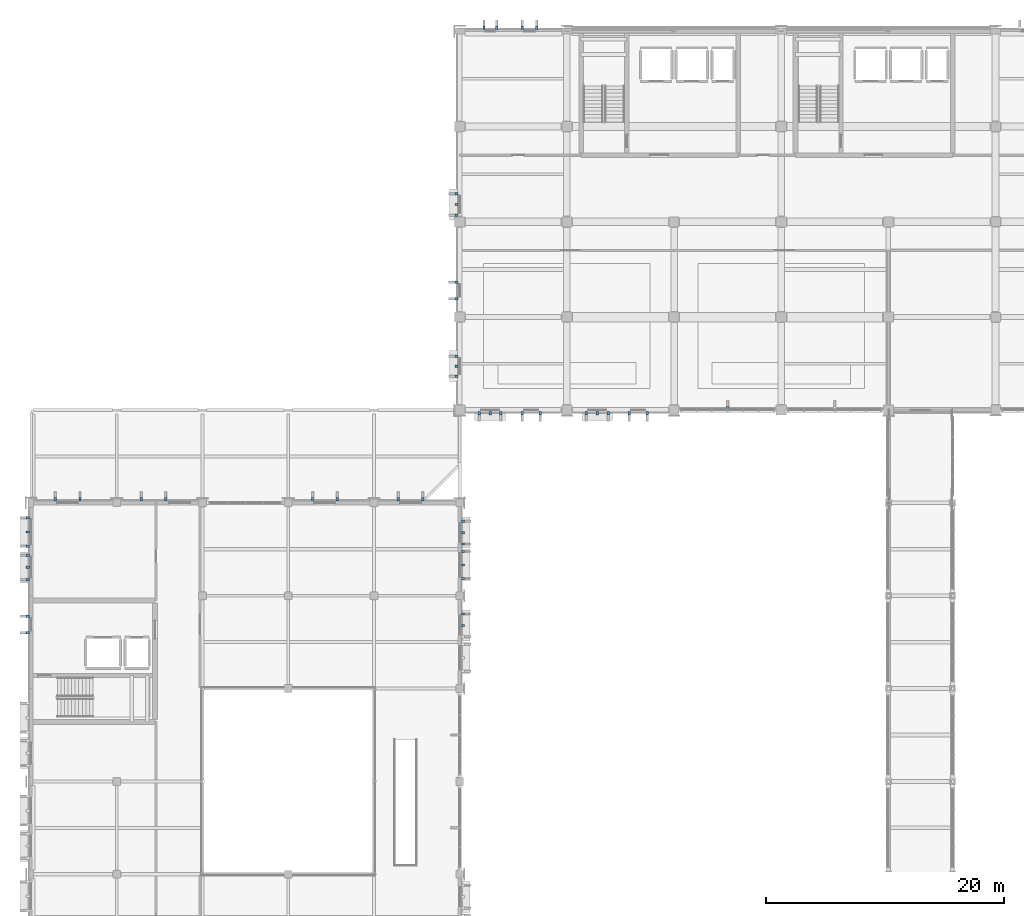
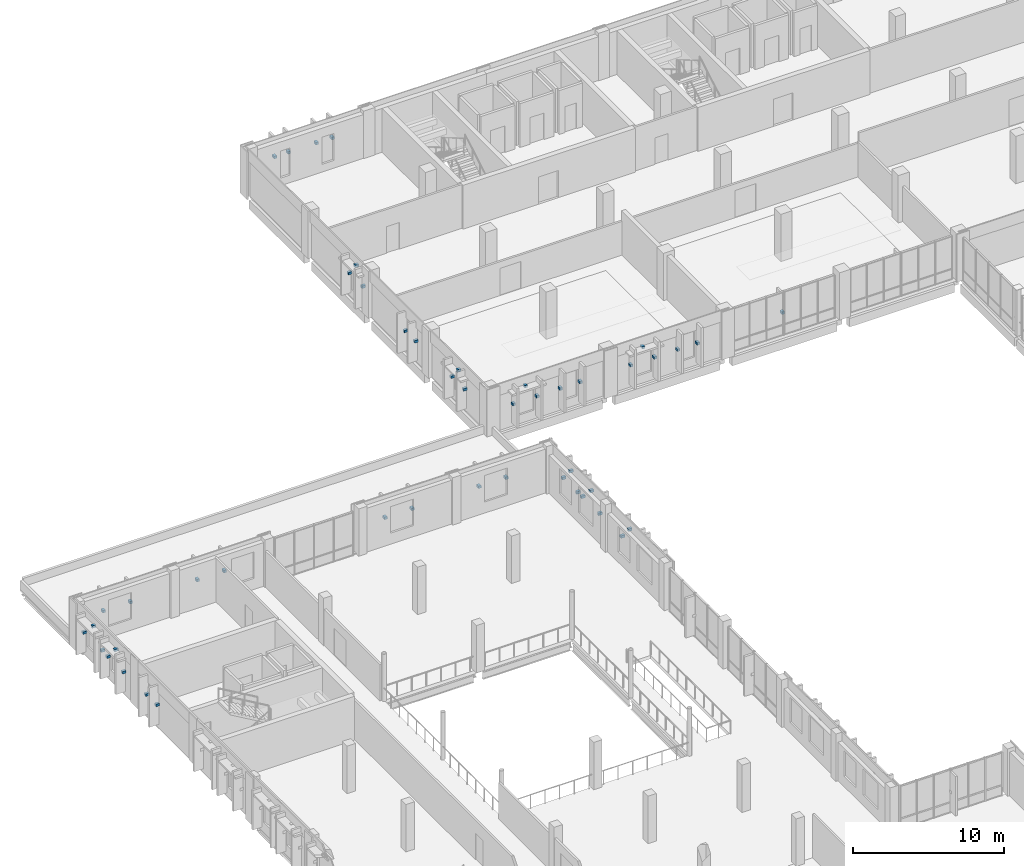
# One storey, part 68 of 85: 47 discrete accessories.
"""IFC4 building model written with IfcOpenShell, lengths in metres."""

from ifc_helpers import new_model, si_unit, direction, frame, origin, origin_2d, place, context, subcontext, project, spatial, rectangle, extrude, material, type_object, element, save


model = new_model("IFC4")

# Units and contexts
model_context = context("Model", 3, precision=1e-05, world=origin(), true_north=direction((0.0, 1.0)))
body_context = subcontext(model_context, "Body", "Model", "MODEL_VIEW")
ifc_project = project(units=[si_unit("LENGTHUNIT", "METRE"), si_unit("AREAUNIT", "SQUARE_METRE"), si_unit("VOLUMEUNIT", "CUBIC_METRE"), si_unit("PLANEANGLEUNIT", "RADIAN"), si_unit("MASSUNIT", "GRAM", prefix="KILO")], contexts=[model_context])

# Site, building, storey
site_placement = place(None, origin())
site = spatial("IfcSite", under=ifc_project, at=site_placement, CompositionType="ELEMENT")
building_placement = place(site_placement, origin())
building = spatial("IfcBuilding", under=site, at=building_placement, Name="Vervanel Yard Central Library", CompositionType="ELEMENT")
storey_placement = place(building_placement, frame((0.0, 0.0, 5.10009765625)))
storey = spatial("IfcBuildingStorey", under=building, at=storey_placement, Name="L01", CompositionType="ELEMENT", Elevation=5.10009765625)

# Discrete accessories
ifc_material = material(Name="Steel ASTM A572 Grade 50", Category="steel")
discrete_accessory_type = type_object("IfcDiscreteAccessoryType", Name="Stainless Solar Fin Fixing Bracket", PredefinedType="BRACKET", material=ifc_material)
for number, where, z_axis, x_axis, name in (
    (1, (38.0400390625, 114.31005859375, 2.0498046875), (0.0, 0.0, 1.0), (1.0, 0.0, 0.0), "L01 Solar Fin Bracket 55"),
    (2, (39.110107421875, 114.31005859375, 2.0498046875), (0.0, 0.0, 1.0), (1.0, 0.0, 0.0), "L01 Solar Fin Bracket 56"),
    (3, (41.239990234375, 114.31005859375, 2.0498046875), (0.0, 0.0, 1.0), (1.0, 0.0, 0.0), "L01 Solar Fin Bracket 57"),
    (4, (42.4599609375, 114.31005859375, 2.0498046875), (0.0, 0.0, 1.0), (1.0, 0.0, 0.0), "L01 Solar Fin Bracket 58"),
    (5, (37.639892578125, 81.909912109375, 1.7998046875), (0.0, 0.0, 1.0), (1.0, 0.0, 0.0), "L01 Solar Fin Bracket 71"),
    (6, (39.4599609375, 81.909912109375, 1.7998046875), (0.0, 0.0, 1.0), (1.0, 0.0, 0.0), "L01 Solar Fin Bracket 72"),
    (7, (38.550048828125, 81.909912109375, 2.94970703125), (0.0, 0.0, 1.0), (1.0, 0.0, 0.0), "L01 Sunhood Bracket 8"),
    (8, (41.239990234375, 81.909912109375, 1.7998046875), (0.0, 0.0, 1.0), (1.0, 0.0, 0.0), "L01 Solar Fin Bracket 73"),
    (9, (42.760009765625, 81.909912109375, 1.7998046875), (0.0, 0.0, 1.0), (1.0, 0.0, 0.0), "L01 Solar Fin Bracket 74"),
    (10, (46.639892578125, 81.909912109375, 1.7998046875), (0.0, 0.0, 1.0), (1.0, 0.0, 0.0), "L01 Solar Fin Bracket 75"),
    (11, (48.4599609375, 81.909912109375, 1.7998046875), (0.0, 0.0, 1.0), (1.0, 0.0, 0.0), "L01 Solar Fin Bracket 76"),
    (12, (47.550048828125, 81.909912109375, 2.94970703125), (0.0, 0.0, 1.0), (1.0, 0.0, 0.0), "L01 Sunhood Bracket 9"),
    (13, (50.239990234375, 81.909912109375, 1.7998046875), (0.0, 0.0, 1.0), (1.0, 0.0, 0.0), "L01 Solar Fin Bracket 77"),
    (14, (51.760009765625, 81.909912109375, 1.7998046875), (0.0, 0.0, 1.0), (1.0, 0.0, 0.0), "L01 Solar Fin Bracket 78"),
    (15, (58.5, 82.330078125, 1.6650390625), (0.0, 0.0, 1.0), (1.0, 0.0, 0.0), "L01 Solar Fin Bracket 79"),
    (16, (35.72998046875, 85.0400390625, 1.77490234375), (0.0, 0.0, 1.0), (0.0, 1.0, 0.0), "L01 Solar Fin Bracket 82"),
    (17, (35.72998046875, 86.7099609375, 1.77490234375), (0.0, 0.0, 1.0), (0.0, 1.0, 0.0), "L01 Solar Fin Bracket 83"),
    (18, (35.72998046875, 85.875, 2.7998046875), (0.0, 0.0, 1.0), (0.0, 1.0, 0.0), "L01 Sunhood Bracket 10"),
    (19, (35.72998046875, 91.5400390625, 1.72509765625), (0.0, 0.0, 1.0), (0.0, 1.0, 0.0), "L01 Solar Fin Bracket 84"),
    (20, (35.72998046875, 92.909912109375, 1.72509765625), (0.0, 0.0, 1.0), (0.0, 1.0, 0.0), "L01 Solar Fin Bracket 85"),
    (21, (35.72998046875, 98.5400390625, 1.89990234375), (0.0, 0.0, 1.0), (0.0, 1.0, 0.0), "L01 Solar Fin Bracket 86"),
    (22, (35.72998046875, 100.360107421875, 1.89990234375), (0.0, 0.0, 1.0), (0.0, 1.0, 0.0), "L01 Solar Fin Bracket 87"),
    (23, (35.72998046875, 99.449951171875, 3.0498046875), (0.0, 0.0, 1.0), (0.0, 1.0, 0.0), "L01 Sunhood Bracket 11"),
    (24, (-0.2900390625, 63.489990234375, 1.875), (0.0, 0.0, 1.0), (0.0, 1.0, 0.0), "L01 Solar Fin Bracket 275"),
    (25, (-0.2900390625, 64.860107421875, 1.875), (0.0, 0.0, 1.0), (0.0, 1.0, 0.0), "L01 Solar Fin Bracket 276"),
    (26, (-0.2900390625, 67.93994140625, 1.82470703125), (0.0, 0.0, 1.0), (0.0, 1.0, 0.0), "L01 Solar Fin Bracket 277"),
    (27, (-0.2900390625, 70.010009765625, 1.82470703125), (0.0, 0.0, 1.0), (0.0, 1.0, 0.0), "L01 Solar Fin Bracket 278"),
    (28, (-0.2900390625, 68.97509765625, 3.0), (0.0, 0.0, 1.0), (0.0, 1.0, 0.0), "L01 Sunhood Bracket 44"),
    (29, (-0.2900390625, 70.739990234375, 1.875), (0.0, 0.0, 1.0), (0.0, 1.0, 0.0), "L01 Solar Fin Bracket 279"),
    (30, (-0.2900390625, 73.159912109375, 1.875), (0.0, 0.0, 1.0), (0.0, 1.0, 0.0), "L01 Solar Fin Bracket 280"),
    (31, (-0.2900390625, 71.949951171875, 3.10009765625), (0.0, 0.0, 1.0), (0.0, 1.0, 0.0), "L01 Sunhood Bracket 45"),
    (32, (36.27001953125, 65.06005859375, 1.77490234375), (0.0, 0.0, 1.0), (0.0, 1.0, 0.0), "L01 Solar Fin Bracket 294"),
    (33, (36.27001953125, 64.10009765625, 2.89990234375), (0.0, 0.0, 1.0), (0.0, 1.0, 0.0), "L01 Sunhood Bracket 51"),
    (34, (36.27001953125, 68.0400390625, 1.7998046875), (0.0, 0.0, 1.0), (0.0, 1.0, 0.0), "L01 Solar Fin Bracket 295"),
    (35, (36.27001953125, 70.31005859375, 1.7998046875), (0.0, 0.0, 1.0), (0.0, 1.0, 0.0), "L01 Solar Fin Bracket 296"),
    (36, (36.27001953125, 69.175048828125, 2.94970703125), (0.0, 0.0, 1.0), (0.0, 1.0, 0.0), "L01 Sunhood Bracket 52"),
    (37, (36.27001953125, 70.93994140625, 1.77490234375), (0.0, 0.0, 1.0), (0.0, 1.0, 0.0), "L01 Solar Fin Bracket 297"),
    (38, (36.27001953125, 72.860107421875, 1.77490234375), (0.0, 0.0, 1.0), (0.0, 1.0, 0.0), "L01 Solar Fin Bracket 298"),
    (39, (36.27001953125, 71.89990234375, 2.89990234375), (0.0, 0.0, 1.0), (0.0, 1.0, 0.0), "L01 Sunhood Bracket 53"),
    (40, (2.0400390625, 74.68994140625, 1.875), (0.0, 0.0, 1.0), (1.0, 0.0, 0.0), "L01 Solar Fin Bracket 299"),
    (41, (4.110107421875, 74.68994140625, 1.875), (0.0, 0.0, 1.0), (1.0, 0.0, 0.0), "L01 Solar Fin Bracket 300"),
    (42, (9.239990234375, 74.68994140625, 1.875), (0.0, 0.0, 1.0), (1.0, 0.0, 0.0), "L01 Solar Fin Bracket 301"),
    (43, (11.31005859375, 74.68994140625, 1.875), (0.0, 0.0, 1.0), (1.0, 0.0, 0.0), "L01 Solar Fin Bracket 302"),
    (44, (23.639892578125, 74.68994140625, 1.875), (0.0, 0.0, 1.0), (1.0, 0.0, 0.0), "L01 Solar Fin Bracket 303"),
    (45, (25.7099609375, 74.68994140625, 1.875), (0.0, 0.0, 1.0), (1.0, 0.0, 0.0), "L01 Solar Fin Bracket 304"),
    (46, (30.840087890625, 74.68994140625, 1.875), (0.0, 0.0, 1.0), (1.0, 0.0, 0.0), "L01 Solar Fin Bracket 305"),
    (47, (32.909912109375, 74.68994140625, 1.875), (0.0, 0.0, 1.0), (1.0, 0.0, 0.0), "L01 Solar Fin Bracket 306"),
):
    element("IfcDiscreteAccessory", number, at=place(storey_placement, frame(where, z_axis=z_axis, x_axis=x_axis)), inside=storey, type_object=discrete_accessory_type, Name=name, PredefinedType="BRACKET", context=body_context, shape_type="SweptSolid", body=[
        extrude(rectangle(XDim=0.199951171875, YDim=0.280029296875, at=origin_2d()), origin(), (0.0, 0.0, 1.0), 0.199951171875),
    ])

save(model, "model.ifc")
